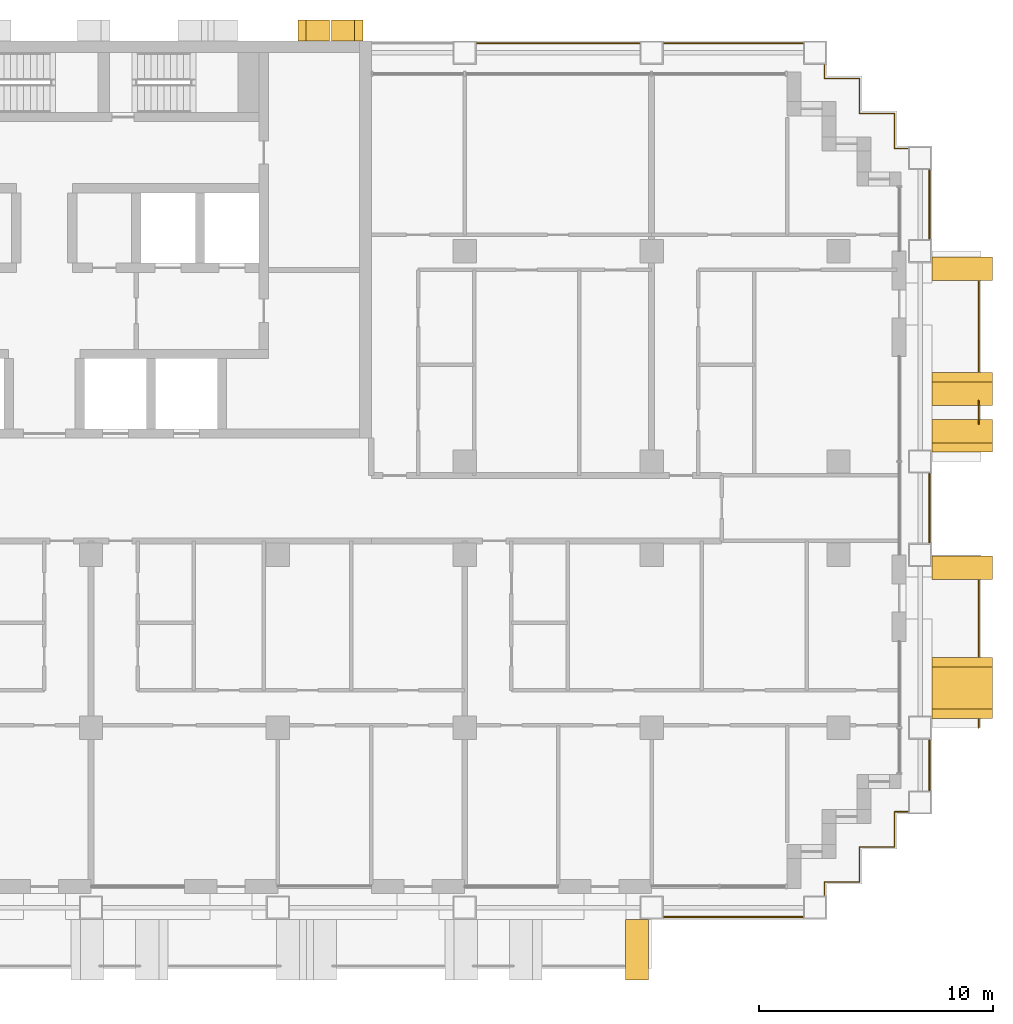
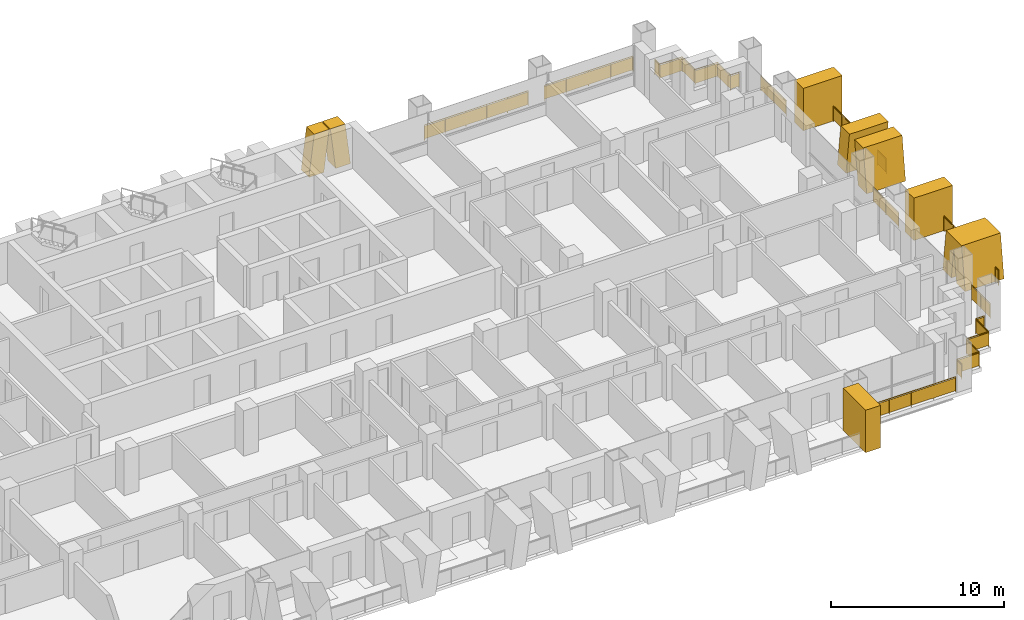
# One storey, part 18 of 18: 12 railings, 8 shading devices.
"""IFC4 building model written with IfcOpenShell, lengths in metres."""

from ifc_helpers import new_model, si_unit, direction, frame, origin, origin_2d, place, context, subcontext, project, spatial, polyline, rectangle, circle, outline, extrude, material, layer, layer_set, type_object, element, save


model = new_model("IFC4")

# Units and contexts
model_context = context("Model", 3, precision=1e-05, world=origin(), true_north=direction((0.0, 1.0)))
body_context = subcontext(model_context, "Body", "Model", "MODEL_VIEW")
ifc_project = project(units=[si_unit("LENGTHUNIT", "METRE"), si_unit("AREAUNIT", "SQUARE_METRE"), si_unit("VOLUMEUNIT", "CUBIC_METRE"), si_unit("PLANEANGLEUNIT", "RADIAN"), si_unit("MASSUNIT", "GRAM", prefix="KILO")], contexts=[model_context])

# Site, building, storey
site_placement = place(None, origin())
site = spatial("IfcSite", under=ifc_project, at=site_placement, CompositionType="ELEMENT")
building_placement = place(site_placement, origin())
building = spatial("IfcBuilding", under=site, at=building_placement, Name="Vidyagriha Tower", CompositionType="ELEMENT")
storey_placement = place(building_placement, frame((0.0, 0.0, 44.800048828125)))
storey = spatial("IfcBuildingStorey", under=building, at=storey_placement, Name="L11", CompositionType="ELEMENT", Elevation=44.800048828125)

# Railings
ifc_material_1 = material(Name="Steel ASTM A500 Grade C black painted", Category="steel")
railing_type_1 = type_object("IfcRailingType", Name="Balcony guard 1100", PredefinedType="BALUSTRADE", material=ifc_material_1)
railing_1_placement = place(storey_placement, frame((40.0, -9.39990234375, 0.0)))
element("IfcRailing", 1, at=railing_1_placement, inside=storey, type_object=railing_type_1, Name="Balcony guard L11 R30.1-1", PredefinedType="BALUSTRADE", context=body_context, shape_type="SweptSolid", body=[
    extrude(circle(Radius=0.02490234375, at=origin_2d()), frame((0.0, 0.0, 1.0751953125), z_axis=(0.0, 1.0, 0.0), x_axis=(-1.0, 0.0, 0.0)), (0.0, 0.0, 1.0), 0.349853515625),
    extrude(circle(Radius=0.02001953125, at=origin_2d()), origin(), (0.0, 0.0, 1.0), 1.050048828125),
    extrude(circle(Radius=0.02001953125, at=origin_2d()), frame((0.0, 0.349853515625, 0.0)), (0.0, 0.0, 1.0), 1.050048828125),
    extrude(rectangle(XDim=0.010009765625, YDim=0.900146484375, at=origin_2d()), frame((0.0, 0.0, 0.550048828125), z_axis=(0.0, 1.0, 0.0), x_axis=(-1.0, 0.0, 0.0)), (0.0, 0.0, 1.0), 0.349853515625),
])
railing_2_placement = place(storey_placement, frame((40.0, -6.35009765625, 0.0)))
element("IfcRailing", 2, at=railing_2_placement, inside=storey, type_object=railing_type_1, Name="Balcony guard L11 R30.1-2", PredefinedType="BALUSTRADE", context=body_context, shape_type="SweptSolid", body=[
    extrude(circle(Radius=0.02490234375, at=origin_2d()), frame((0.0, 0.0, 1.0751953125), z_axis=(0.0, 1.0, 0.0), x_axis=(-1.0, 0.0, 0.0)), (0.0, 0.0, 1.0), 3.25),
    extrude(circle(Radius=0.02001953125, at=origin_2d()), origin(), (0.0, 0.0, 1.0), 1.050048828125),
    extrude(circle(Radius=0.02001953125, at=origin_2d()), frame((0.0, 1.083251953125, 0.0)), (0.0, 0.0, 1.0), 1.050048828125),
    extrude(circle(Radius=0.02001953125, at=origin_2d()), frame((0.0, 2.166748046875, 0.0)), (0.0, 0.0, 1.0), 1.050048828125),
    extrude(circle(Radius=0.02001953125, at=origin_2d()), frame((0.0, 3.25, 0.0)), (0.0, 0.0, 1.0), 1.050048828125),
    extrude(rectangle(XDim=0.010009765625, YDim=0.900146484375, at=origin_2d()), frame((0.0, 0.0, 0.550048828125), z_axis=(0.0, 1.0, 0.0), x_axis=(-1.0, 0.0, 0.0)), (0.0, 0.0, 1.0), 3.25),
])
railing_3_placement = place(storey_placement, frame((40.0, 3.603271484375, 0.0)))
element("IfcRailing", 3, at=railing_3_placement, inside=storey, type_object=railing_type_1, Name="Balcony guard L11 R30.2-1", PredefinedType="BALUSTRADE", context=body_context, shape_type="SweptSolid", body=[
    extrude(circle(Radius=0.02490234375, at=origin_2d()), frame((0.0, 0.0, 1.0751953125), z_axis=(0.0, 1.0, 0.0), x_axis=(-1.0, 0.0, 0.0)), (0.0, 0.0, 1.0), 0.993408203125),
    extrude(circle(Radius=0.02001953125, at=origin_2d()), origin(), (0.0, 0.0, 1.0), 1.050048828125),
    extrude(circle(Radius=0.02001953125, at=origin_2d()), frame((0.0, 0.993408203125, 0.0)), (0.0, 0.0, 1.0), 1.050048828125),
    extrude(rectangle(XDim=0.010009765625, YDim=0.900146484375, at=origin_2d()), frame((0.0, 0.0, 0.550048828125), z_axis=(0.0, 1.0, 0.0), x_axis=(-1.0, 0.0, 0.0)), (0.0, 0.0, 1.0), 0.993408203125),
])
railing_4_placement = place(storey_placement, frame((40.0, 5.85009765625, 0.0)))
element("IfcRailing", 4, at=railing_4_placement, inside=storey, type_object=railing_type_1, Name="Balcony guard L11 R30.2-2", PredefinedType="BALUSTRADE", context=body_context, shape_type="SweptSolid", body=[
    extrude(circle(Radius=0.02490234375, at=origin_2d()), frame((0.0, 0.0, 1.0751953125), z_axis=(0.0, 1.0, 0.0), x_axis=(-1.0, 0.0, 0.0)), (0.0, 0.0, 1.0), 3.849853515625),
    extrude(circle(Radius=0.02001953125, at=origin_2d()), origin(), (0.0, 0.0, 1.0), 1.050048828125),
    extrude(circle(Radius=0.02001953125, at=origin_2d()), frame((0.0, 0.96240234375, 0.0)), (0.0, 0.0, 1.0), 1.050048828125),
    extrude(circle(Radius=0.02001953125, at=origin_2d()), frame((0.0, 1.9248046875, 0.0)), (0.0, 0.0, 1.0), 1.050048828125),
    extrude(circle(Radius=0.02001953125, at=origin_2d()), frame((0.0, 2.887451171875, 0.0)), (0.0, 0.0, 1.0), 1.050048828125),
    extrude(circle(Radius=0.02001953125, at=origin_2d()), frame((0.0, 3.849853515625, 0.0)), (0.0, 0.0, 1.0), 1.050048828125),
    extrude(rectangle(XDim=0.010009765625, YDim=0.900146484375, at=origin_2d()), frame((0.0, 0.0, 0.550048828125), z_axis=(0.0, 1.0, 0.0), x_axis=(-1.0, 0.0, 0.0)), (0.0, 0.0, 1.0), 3.849853515625),
])

# Shading devices
ifc_material_2 = material(Name="Precast concrete C40/50 with buff brick facing", Category="concrete")
ifc_layer_1 = layer(ifc_material_2, 1.0)
ifc_layer_set_1 = layer_set([ifc_layer_1], Name="Precast concrete C40/50 with buff brick facing")
shading_device_type_1 = type_object("IfcShadingDeviceType", Name="Brick-faced blade fin arm leaning 8 degrees", PredefinedType="USERDEFINED", material=ifc_layer_set_1)
shading_device_1_placement = place(storey_placement, frame((39.300048828125, 2.39990234375, 0.0), z_axis=(0.0, 0.0, 1.0), x_axis=(0.0, 1.0, 0.0)))
element("IfcShadingDevice", 5, at=shading_device_1_placement, inside=storey, type_object=shading_device_type_1, Name="Leaning blade fin L11 R30.1340a", ObjectType="BLADE FIN", PredefinedType="USERDEFINED", context=body_context, shape_type="SweptSolid", body=[
    extrude(outline(polyline([(0.0, 0.0), (1.0, 0.0), (1.39990234375, 3.0), (0.39990234375, 3.0), (0.0, 0.0)])), frame((0.0, 1.300048828125, 0.0), z_axis=(0.0, -1.0, 0.0), x_axis=(1.0, 0.0, 0.0)), (0.0, 0.0, 1.0), 2.60009765625),
])
shading_device_2_placement = place(storey_placement, frame((39.300048828125, 4.39990234375, 0.0), z_axis=(0.0, 0.0, 1.0), x_axis=(0.0, 1.0, 0.0)))
element("IfcShadingDevice", 6, at=shading_device_2_placement, inside=storey, type_object=shading_device_type_1, Name="Leaning blade fin L11 R30.1340b", ObjectType="BLADE FIN", PredefinedType="USERDEFINED", context=body_context, shape_type="SweptSolid", body=[
    extrude(outline(polyline([(0.39990234375, 0.0), (1.39990234375, 0.0), (1.0, 3.0), (0.0, 3.0), (0.39990234375, 0.0)])), frame((0.0, 1.300048828125, 0.0), z_axis=(0.0, -1.0, 0.0), x_axis=(1.0, 0.0, 0.0)), (0.0, 0.0, 1.0), 2.60009765625),
])
ifc_material_3 = material(Name="Precast concrete C40/50 with buff brick facing", Category="concrete")
ifc_layer_2 = layer(ifc_material_3, 1.0)
ifc_layer_set_2 = layer_set([ifc_layer_2], Name="Precast concrete C40/50 with buff brick facing")
shading_device_type_2 = type_object("IfcShadingDeviceType", Name="Brick-faced blade fin forking 8 degrees", PredefinedType="USERDEFINED", material=ifc_layer_set_2)
shading_device_3_placement = place(storey_placement, frame((39.300048828125, -9.0, 0.0), z_axis=(0.0, 0.0, 1.0), x_axis=(0.0, 1.0, 0.0)))
element("IfcShadingDevice", 7, at=shading_device_3_placement, inside=storey, type_object=shading_device_type_2, Name="Forked blade fin L11 R30.200a", ObjectType="BLADE FIN", PredefinedType="USERDEFINED", context=body_context, shape_type="SweptSolid", body=[
    extrude(outline(polyline([(1.0, 0.0), (1.300048828125, 2.25), (1.60009765625, 0.0), (2.60009765625, 0.0), (2.199951171875, 3.0), (0.39990234375, 3.0), (0.0, 0.0), (1.0, 0.0)])), frame((0.0, 1.300048828125, 0.0), z_axis=(0.0, -1.0, 0.0), x_axis=(1.0, 0.0, 0.0)), (0.0, 0.0, 1.0), 2.60009765625),
])
ifc_material_4 = material(Name="Precast concrete C40/50 with buff brick facing", Category="concrete")
ifc_layer_3 = layer(ifc_material_4, 1.0)
ifc_layer_set_3 = layer_set([ifc_layer_3], Name="Precast concrete C40/50 with buff brick facing")
shading_device_type_3 = type_object("IfcShadingDeviceType", Name="Brick-faced blade fin stem 1000", PredefinedType="USERDEFINED", material=ifc_layer_set_3)
shading_device_4_placement = place(storey_placement, frame((24.875, -18.89990234375, 0.0)))
element("IfcShadingDevice", 8, at=shading_device_4_placement, inside=storey, type_object=shading_device_type_3, Name="Stem blade fin L11 R23.5780a", ObjectType="BLADE FIN", PredefinedType="USERDEFINED", context=body_context, shape_type="SweptSolid", body=[
    extrude(outline(polyline([(0.0, 0.0), (1.0, 0.0), (1.0, 3.0), (0.0, 3.0), (0.0, 0.0)])), frame((0.0, 1.300048828125, 0.0), z_axis=(0.0, -1.0, 0.0), x_axis=(1.0, 0.0, 0.0)), (0.0, 0.0, 1.0), 2.60009765625),
])
for number, where, z_axis, x_axis, name in (
    (9, (39.300048828125, -3.050048828125, 0.0), (0.0, 0.0, 1.0), (0.0, 1.0, 0.0), "Stem blade fin L11 R30.940a"),
    (10, (39.300048828125, 9.75, 0.0), (0.0, 0.0, 1.0), (0.0, 1.0, 0.0), "Stem blade fin L11 R30.2240a"),
):
    element("IfcShadingDevice", number, at=place(storey_placement, frame(where, z_axis=z_axis, x_axis=x_axis)), inside=storey, type_object=shading_device_type_3, Name=name, ObjectType="BLADE FIN", PredefinedType="USERDEFINED", context=body_context, shape_type="SweptSolid", body=[
        extrude(outline(polyline([(0.0, 0.0), (1.0, 0.0), (1.0, 3.0), (0.0, 3.0), (0.0, 0.0)])), frame((0.0, 1.300048828125, 0.0), z_axis=(0.0, -1.0, 0.0), x_axis=(1.0, 0.0, 0.0)), (0.0, 0.0, 1.0), 2.60009765625),
    ])
ifc_material_5 = material(Name="Precast concrete C40/50 with brick facing", Category="concrete")
ifc_layer_4 = layer(ifc_material_5, 1.0)
ifc_layer_set_4 = layer_set([ifc_layer_4], Name="Precast concrete C40/50 with brick facing")
shading_device_type_4 = type_object("IfcShadingDeviceType", Name="Brick-faced rear rib arm leaning 8 degrees", PredefinedType="USERDEFINED", material=ifc_layer_set_4)
shading_device_5_placement = place(storey_placement, frame((13.642822265625, 20.449951171875, 0.0), z_axis=(0.0, 0.0, 1.0), x_axis=(-1.0, 0.0, 0.0)))
element("IfcShadingDevice", 11, at=shading_device_5_placement, inside=storey, type_object=shading_device_type_4, Name="Rear rib arm L11 R08.1a", ObjectType="BLADE FIN", PredefinedType="USERDEFINED", context=body_context, shape_type="SweptSolid", body=[
    extrude(outline(polyline([(0.0, 0.0), (1.0, 0.0), (1.357177734375, 2.919921875), (0.357177734375, 2.919921875), (0.0, 0.0)])), frame((0.0, 0.449951171875, 0.0), z_axis=(0.0, -1.0, 0.0), x_axis=(1.0, 0.0, 0.0)), (0.0, 0.0, 1.0), 0.89990234375),
])
shading_device_6_placement = place(storey_placement, frame((12.21435546875, 20.449951171875, 0.0), z_axis=(0.0, 0.0, 1.0), x_axis=(-1.0, 0.0, 0.0)))
element("IfcShadingDevice", 12, at=shading_device_6_placement, inside=storey, type_object=shading_device_type_4, Name="Rear rib arm L11 R08.1b", ObjectType="BLADE FIN", PredefinedType="USERDEFINED", context=body_context, shape_type="SweptSolid", body=[
    extrude(outline(polyline([(0.357177734375, 0.0), (1.357177734375, 0.0), (1.0, 2.919921875), (0.0, 2.919921875), (0.357177734375, 0.0)])), frame((0.0, 0.449951171875, 0.0), z_axis=(0.0, -1.0, 0.0), x_axis=(1.0, 0.0, 0.0)), (0.0, 0.0, 1.0), 0.89990234375),
])

# Railings
ifc_material_6 = material(Name="Steel ASTM A500 Grade C black painted", Category="steel")
railing_type_2 = type_object("IfcRailingType", Name="Gallery guard 1100", PredefinedType="GUARDRAIL", material=ifc_material_6)
railing_5_placement = place(storey_placement, frame((18.530029296875, 19.89990234375, 0.0)))
element("IfcRailing", 13, at=railing_5_placement, inside=storey, type_object=railing_type_2, Name="Gallery guard L11 11", PredefinedType="GUARDRAIL", context=body_context, shape_type="SweptSolid", body=[
    extrude(circle(Radius=0.02490234375, at=origin_2d()), frame((0.0, 0.0, 1.0751953125), z_axis=(1.0, 0.0, 0.0), x_axis=(0.0, 1.0, 0.0)), (0.0, 0.0, 1.0), 6.93994140625),
    extrude(circle(Radius=0.02001953125, at=origin_2d()), origin(), (0.0, 0.0, 1.0), 1.050048828125),
    extrude(circle(Radius=0.02001953125, at=origin_2d()), frame((1.387939453125, 0.0, 0.0)), (0.0, 0.0, 1.0), 1.050048828125),
    extrude(circle(Radius=0.02001953125, at=origin_2d()), frame((2.77587890625, 0.0, 0.0)), (0.0, 0.0, 1.0), 1.050048828125),
    extrude(circle(Radius=0.02001953125, at=origin_2d()), frame((4.1640625, 0.0, 0.0)), (0.0, 0.0, 1.0), 1.050048828125),
    extrude(circle(Radius=0.02001953125, at=origin_2d()), frame((5.552001953125, 0.0, 0.0)), (0.0, 0.0, 1.0), 1.050048828125),
    extrude(circle(Radius=0.02001953125, at=origin_2d()), frame((6.93994140625, 0.0, 0.0)), (0.0, 0.0, 1.0), 1.050048828125),
    extrude(rectangle(XDim=0.010009765625, YDim=0.900146484375, at=origin_2d()), frame((0.0, 0.0, 0.550048828125), z_axis=(1.0, 0.0, 0.0), x_axis=(0.0, 1.0, 0.0)), (0.0, 0.0, 1.0), 6.93994140625),
])
railing_6_placement = place(storey_placement, frame((32.469970703125, -17.5, 0.0)))
element("IfcRailing", 14, at=railing_6_placement, inside=storey, type_object=railing_type_2, Name="Gallery guard L11 12", PredefinedType="GUARDRAIL", context=body_context, shape_type="SweptSolid", body=[
    extrude(circle(Radius=0.02490234375, at=origin_2d()), frame((0.0, 0.0, 1.0751953125), z_axis=(-1.0, 0.0, 0.0), x_axis=(0.0, -1.0, 0.0)), (0.0, 0.0, 1.0), 5.93994140625),
    extrude(circle(Radius=0.02001953125, at=origin_2d()), origin(), (0.0, 0.0, 1.0), 1.050048828125),
    extrude(circle(Radius=0.02001953125, at=origin_2d()), frame((-1.48486328125, 0.0, 0.0)), (0.0, 0.0, 1.0), 1.050048828125),
    extrude(circle(Radius=0.02001953125, at=origin_2d()), frame((-2.969970703125, 0.0, 0.0)), (0.0, 0.0, 1.0), 1.050048828125),
    extrude(circle(Radius=0.02001953125, at=origin_2d()), frame((-4.455078125, 0.0, 0.0)), (0.0, 0.0, 1.0), 1.050048828125),
    extrude(circle(Radius=0.02001953125, at=origin_2d()), frame((-5.93994140625, 0.0, 0.0)), (0.0, 0.0, 1.0), 1.050048828125),
    extrude(rectangle(XDim=0.010009765625, YDim=0.900146484375, at=origin_2d()), frame((0.0, 0.0, 0.550048828125), z_axis=(-1.0, 0.0, 0.0), x_axis=(0.0, -1.0, 0.0)), (0.0, 0.0, 1.0), 5.93994140625),
])
railing_7_placement = place(storey_placement, frame((26.530029296875, 19.89990234375, 0.0)))
element("IfcRailing", 15, at=railing_7_placement, inside=storey, type_object=railing_type_2, Name="Gallery guard L11 13", PredefinedType="GUARDRAIL", context=body_context, shape_type="SweptSolid", body=[
    extrude(circle(Radius=0.02490234375, at=origin_2d()), frame((0.0, 0.0, 1.0751953125), z_axis=(1.0, 0.0, 0.0), x_axis=(0.0, 1.0, 0.0)), (0.0, 0.0, 1.0), 5.93994140625),
    extrude(circle(Radius=0.02001953125, at=origin_2d()), origin(), (0.0, 0.0, 1.0), 1.050048828125),
    extrude(circle(Radius=0.02001953125, at=origin_2d()), frame((1.48486328125, 0.0, 0.0)), (0.0, 0.0, 1.0), 1.050048828125),
    extrude(circle(Radius=0.02001953125, at=origin_2d()), frame((2.969970703125, 0.0, 0.0)), (0.0, 0.0, 1.0), 1.050048828125),
    extrude(circle(Radius=0.02001953125, at=origin_2d()), frame((4.455078125, 0.0, 0.0)), (0.0, 0.0, 1.0), 1.050048828125),
    extrude(circle(Radius=0.02001953125, at=origin_2d()), frame((5.93994140625, 0.0, 0.0)), (0.0, 0.0, 1.0), 1.050048828125),
    extrude(rectangle(XDim=0.010009765625, YDim=0.900146484375, at=origin_2d()), frame((0.0, 0.0, 0.550048828125), z_axis=(1.0, 0.0, 0.0), x_axis=(0.0, 1.0, 0.0)), (0.0, 0.0, 1.0), 5.93994140625),
])
railing_8_placement = place(storey_placement, frame((36.969970703125, -13.0, 0.0)))
element("IfcRailing", 16, at=railing_8_placement, inside=storey, type_object=railing_type_2, Name="Gallery guard L11 14", PredefinedType="GUARDRAIL", context=body_context, shape_type="SweptSolid", body=[
    extrude(circle(Radius=0.02490234375, at=origin_2d()), frame((0.0, 0.0, 1.0751953125), z_axis=(-1.0, 0.0, 0.0), x_axis=(0.0, -1.0, 0.0)), (0.0, 0.0, 1.0), 0.570068359375),
    extrude(circle(Radius=0.02490234375, at=origin_2d()), frame((-0.570068359375, 0.0, 1.0751953125), z_axis=(0.0, -1.0, 0.0), x_axis=(1.0, 0.0, 0.0)), (0.0, 0.0, 1.0), 1.5),
    extrude(circle(Radius=0.02490234375, at=origin_2d()), frame((-0.570068359375, -1.5, 1.0751953125), z_axis=(-1.0, 0.0, 0.0), x_axis=(0.0, -1.0, 0.0)), (0.0, 0.0, 1.0), 1.5),
    extrude(circle(Radius=0.02490234375, at=origin_2d()), frame((-2.070068359375, -1.5, 1.0751953125), z_axis=(0.0, -1.0, 0.0), x_axis=(1.0, 0.0, 0.0)), (0.0, 0.0, 1.0), 1.5),
    extrude(circle(Radius=0.02490234375, at=origin_2d()), frame((-2.070068359375, -3.0, 1.0751953125), z_axis=(-1.0, 0.0, 0.0), x_axis=(0.0, -1.0, 0.0)), (0.0, 0.0, 1.0), 1.5),
    extrude(circle(Radius=0.02490234375, at=origin_2d()), frame((-3.570068359375, -3.0, 1.0751953125), z_axis=(0.0, -1.0, 0.0), x_axis=(1.0, 0.0, 0.0)), (0.0, 0.0, 1.0), 0.570068359375),
    extrude(circle(Radius=0.02001953125, at=origin_2d()), origin(), (0.0, 0.0, 1.0), 1.050048828125),
    extrude(circle(Radius=0.02001953125, at=origin_2d()), frame((-0.570068359375, 0.0, 0.0)), (0.0, 0.0, 1.0), 1.050048828125),
    extrude(circle(Radius=0.02001953125, at=origin_2d()), frame((-0.570068359375, -1.5, 0.0)), (0.0, 0.0, 1.0), 1.050048828125),
    extrude(circle(Radius=0.02001953125, at=origin_2d()), frame((-2.070068359375, -1.5, 0.0)), (0.0, 0.0, 1.0), 1.050048828125),
    extrude(circle(Radius=0.02001953125, at=origin_2d()), frame((-2.070068359375, -3.0, 0.0)), (0.0, 0.0, 1.0), 1.050048828125),
    extrude(circle(Radius=0.02001953125, at=origin_2d()), frame((-3.570068359375, -3.0, 0.0)), (0.0, 0.0, 1.0), 1.050048828125),
    extrude(circle(Radius=0.02001953125, at=origin_2d()), frame((-3.570068359375, -3.570068359375, 0.0)), (0.0, 0.0, 1.0), 1.050048828125),
    extrude(rectangle(XDim=0.010009765625, YDim=0.900146484375, at=origin_2d()), frame((0.0, 0.0, 0.550048828125), z_axis=(-1.0, 0.0, 0.0), x_axis=(0.0, -1.0, 0.0)), (0.0, 0.0, 1.0), 0.570068359375),
    extrude(rectangle(XDim=0.010009765625, YDim=0.900146484375, at=origin_2d()), frame((-0.570068359375, 0.0, 0.550048828125), z_axis=(0.0, -1.0, 0.0), x_axis=(1.0, 0.0, 0.0)), (0.0, 0.0, 1.0), 1.5),
    extrude(rectangle(XDim=0.010009765625, YDim=0.900146484375, at=origin_2d()), frame((-0.570068359375, -1.5, 0.550048828125), z_axis=(-1.0, 0.0, 0.0), x_axis=(0.0, -1.0, 0.0)), (0.0, 0.0, 1.0), 1.5),
    extrude(rectangle(XDim=0.010009765625, YDim=0.900146484375, at=origin_2d()), frame((-2.070068359375, -1.5, 0.550048828125), z_axis=(0.0, -1.0, 0.0), x_axis=(1.0, 0.0, 0.0)), (0.0, 0.0, 1.0), 1.5),
    extrude(rectangle(XDim=0.010009765625, YDim=0.900146484375, at=origin_2d()), frame((-2.070068359375, -3.0, 0.550048828125), z_axis=(-1.0, 0.0, 0.0), x_axis=(0.0, -1.0, 0.0)), (0.0, 0.0, 1.0), 1.5),
    extrude(rectangle(XDim=0.010009765625, YDim=0.900146484375, at=origin_2d()), frame((-3.570068359375, -3.0, 0.550048828125), z_axis=(0.0, -1.0, 0.0), x_axis=(1.0, 0.0, 0.0)), (0.0, 0.0, 1.0), 0.570068359375),
])
railing_9_placement = place(storey_placement, frame((33.39990234375, 18.969970703125, 0.0)))
element("IfcRailing", 17, at=railing_9_placement, inside=storey, type_object=railing_type_2, Name="Gallery guard L11 15", PredefinedType="GUARDRAIL", context=body_context, shape_type="SweptSolid", body=[
    extrude(circle(Radius=0.02490234375, at=origin_2d()), frame((0.0, 0.0, 1.0751953125), z_axis=(0.0, -1.0, 0.0), x_axis=(1.0, 0.0, 0.0)), (0.0, 0.0, 1.0), 0.570068359375),
    extrude(circle(Radius=0.02490234375, at=origin_2d()), frame((0.0, -0.570068359375, 1.0751953125), z_axis=(1.0, 0.0, 0.0), x_axis=(0.0, 1.0, 0.0)), (0.0, 0.0, 1.0), 1.5),
    extrude(circle(Radius=0.02490234375, at=origin_2d()), frame((1.5, -0.570068359375, 1.0751953125), z_axis=(0.0, -1.0, 0.0), x_axis=(1.0, 0.0, 0.0)), (0.0, 0.0, 1.0), 1.5),
    extrude(circle(Radius=0.02490234375, at=origin_2d()), frame((1.5, -2.070068359375, 1.0751953125), z_axis=(1.0, 0.0, 0.0), x_axis=(0.0, 1.0, 0.0)), (0.0, 0.0, 1.0), 1.5),
    extrude(circle(Radius=0.02490234375, at=origin_2d()), frame((3.0, -2.070068359375, 1.0751953125), z_axis=(0.0, -1.0, 0.0), x_axis=(1.0, 0.0, 0.0)), (0.0, 0.0, 1.0), 1.5),
    extrude(circle(Radius=0.02490234375, at=origin_2d()), frame((3.0, -3.570068359375, 1.0751953125), z_axis=(1.0, 0.0, 0.0), x_axis=(0.0, 1.0, 0.0)), (0.0, 0.0, 1.0), 0.570068359375),
    extrude(circle(Radius=0.02001953125, at=origin_2d()), origin(), (0.0, 0.0, 1.0), 1.050048828125),
    extrude(circle(Radius=0.02001953125, at=origin_2d()), frame((0.0, -0.570068359375, 0.0)), (0.0, 0.0, 1.0), 1.050048828125),
    extrude(circle(Radius=0.02001953125, at=origin_2d()), frame((1.5, -0.570068359375, 0.0)), (0.0, 0.0, 1.0), 1.050048828125),
    extrude(circle(Radius=0.02001953125, at=origin_2d()), frame((1.5, -2.070068359375, 0.0)), (0.0, 0.0, 1.0), 1.050048828125),
    extrude(circle(Radius=0.02001953125, at=origin_2d()), frame((3.0, -2.070068359375, 0.0)), (0.0, 0.0, 1.0), 1.050048828125),
    extrude(circle(Radius=0.02001953125, at=origin_2d()), frame((3.0, -3.570068359375, 0.0)), (0.0, 0.0, 1.0), 1.050048828125),
    extrude(circle(Radius=0.02001953125, at=origin_2d()), frame((3.570068359375, -3.570068359375, 0.0)), (0.0, 0.0, 1.0), 1.050048828125),
    extrude(rectangle(XDim=0.010009765625, YDim=0.900146484375, at=origin_2d()), frame((0.0, 0.0, 0.550048828125), z_axis=(0.0, -1.0, 0.0), x_axis=(1.0, 0.0, 0.0)), (0.0, 0.0, 1.0), 0.570068359375),
    extrude(rectangle(XDim=0.010009765625, YDim=0.900146484375, at=origin_2d()), frame((0.0, -0.570068359375, 0.550048828125), z_axis=(1.0, 0.0, 0.0), x_axis=(0.0, 1.0, 0.0)), (0.0, 0.0, 1.0), 1.5),
    extrude(rectangle(XDim=0.010009765625, YDim=0.900146484375, at=origin_2d()), frame((1.5, -0.570068359375, 0.550048828125), z_axis=(0.0, -1.0, 0.0), x_axis=(1.0, 0.0, 0.0)), (0.0, 0.0, 1.0), 1.5),
    extrude(rectangle(XDim=0.010009765625, YDim=0.900146484375, at=origin_2d()), frame((1.5, -2.070068359375, 0.550048828125), z_axis=(1.0, 0.0, 0.0), x_axis=(0.0, 1.0, 0.0)), (0.0, 0.0, 1.0), 1.5),
    extrude(rectangle(XDim=0.010009765625, YDim=0.900146484375, at=origin_2d()), frame((3.0, -2.070068359375, 0.550048828125), z_axis=(0.0, -1.0, 0.0), x_axis=(1.0, 0.0, 0.0)), (0.0, 0.0, 1.0), 1.5),
    extrude(rectangle(XDim=0.010009765625, YDim=0.900146484375, at=origin_2d()), frame((3.0, -3.570068359375, 0.550048828125), z_axis=(1.0, 0.0, 0.0), x_axis=(0.0, 1.0, 0.0)), (0.0, 0.0, 1.0), 0.570068359375),
])
railing_10_placement = place(storey_placement, frame((37.89990234375, -9.929931640625, 0.0)))
element("IfcRailing", 18, at=railing_10_placement, inside=storey, type_object=railing_type_2, Name="Gallery guard L11 16", PredefinedType="GUARDRAIL", context=body_context, shape_type="SweptSolid", body=[
    extrude(circle(Radius=0.02490234375, at=origin_2d()), frame((0.0, 0.0, 1.0751953125), z_axis=(0.0, -1.0, 0.0), x_axis=(1.0, 0.0, 0.0)), (0.0, 0.0, 1.0), 2.14013671875),
    extrude(circle(Radius=0.02001953125, at=origin_2d()), origin(), (0.0, 0.0, 1.0), 1.050048828125),
    extrude(circle(Radius=0.02001953125, at=origin_2d()), frame((0.0, -1.070068359375, 0.0)), (0.0, 0.0, 1.0), 1.050048828125),
    extrude(circle(Radius=0.02001953125, at=origin_2d()), frame((0.0, -2.14013671875, 0.0)), (0.0, 0.0, 1.0), 1.050048828125),
    extrude(rectangle(XDim=0.010009765625, YDim=0.900146484375, at=origin_2d()), frame((0.0, 0.0, 0.550048828125), z_axis=(0.0, -1.0, 0.0), x_axis=(1.0, 0.0, 0.0)), (0.0, 0.0, 1.0), 2.14013671875),
])
for number, where, name in (
    (19, (37.89990234375, 1.469970703125, 0.0), "Gallery guard L11 17"),
    (20, (37.89990234375, 14.469970703125, 0.0), "Gallery guard L11 18"),
):
    element("IfcRailing", number, at=place(storey_placement, frame(where)), inside=storey, type_object=railing_type_2, Name=name, PredefinedType="GUARDRAIL", context=body_context, shape_type="SweptSolid", body=[
        extrude(circle(Radius=0.02490234375, at=origin_2d()), frame((0.0, 0.0, 1.0751953125), z_axis=(0.0, -1.0, 0.0), x_axis=(1.0, 0.0, 0.0)), (0.0, 0.0, 1.0), 2.93994140625),
        extrude(circle(Radius=0.02001953125, at=origin_2d()), origin(), (0.0, 0.0, 1.0), 1.050048828125),
        extrude(circle(Radius=0.02001953125, at=origin_2d()), frame((0.0, -1.469970703125, 0.0)), (0.0, 0.0, 1.0), 1.050048828125),
        extrude(circle(Radius=0.02001953125, at=origin_2d()), frame((0.0, -2.93994140625, 0.0)), (0.0, 0.0, 1.0), 1.050048828125),
        extrude(rectangle(XDim=0.010009765625, YDim=0.900146484375, at=origin_2d()), frame((0.0, 0.0, 0.550048828125), z_axis=(0.0, -1.0, 0.0), x_axis=(1.0, 0.0, 0.0)), (0.0, 0.0, 1.0), 2.93994140625),
    ])

save(model, "model.ifc")
